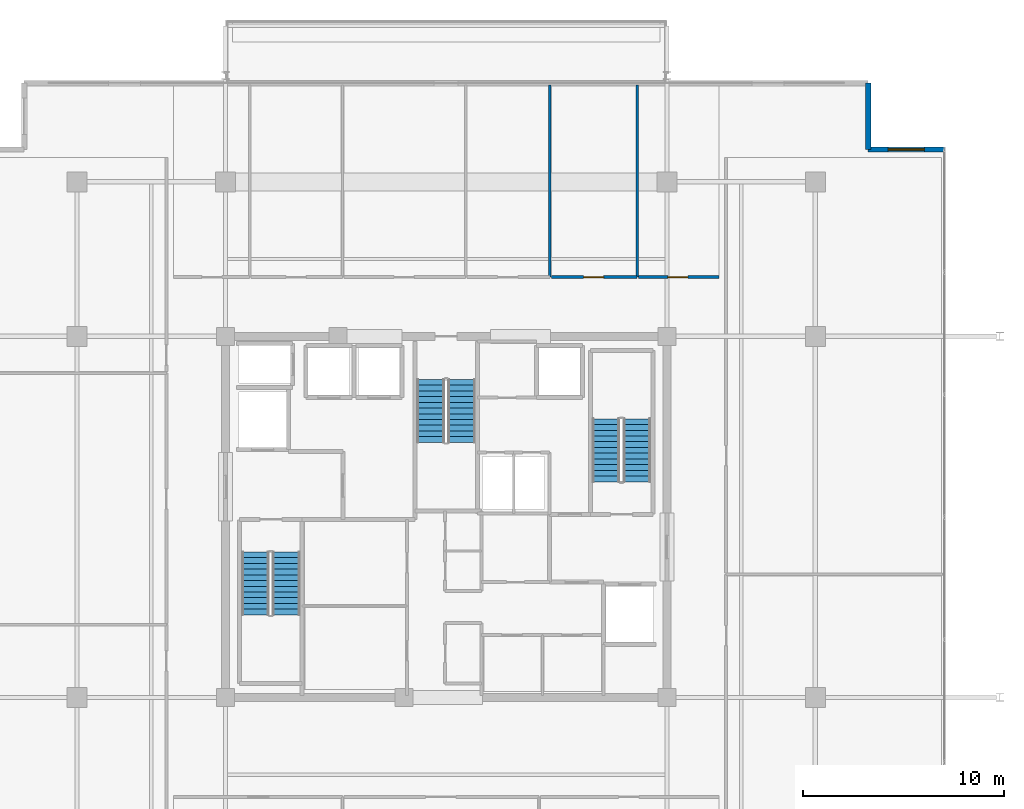
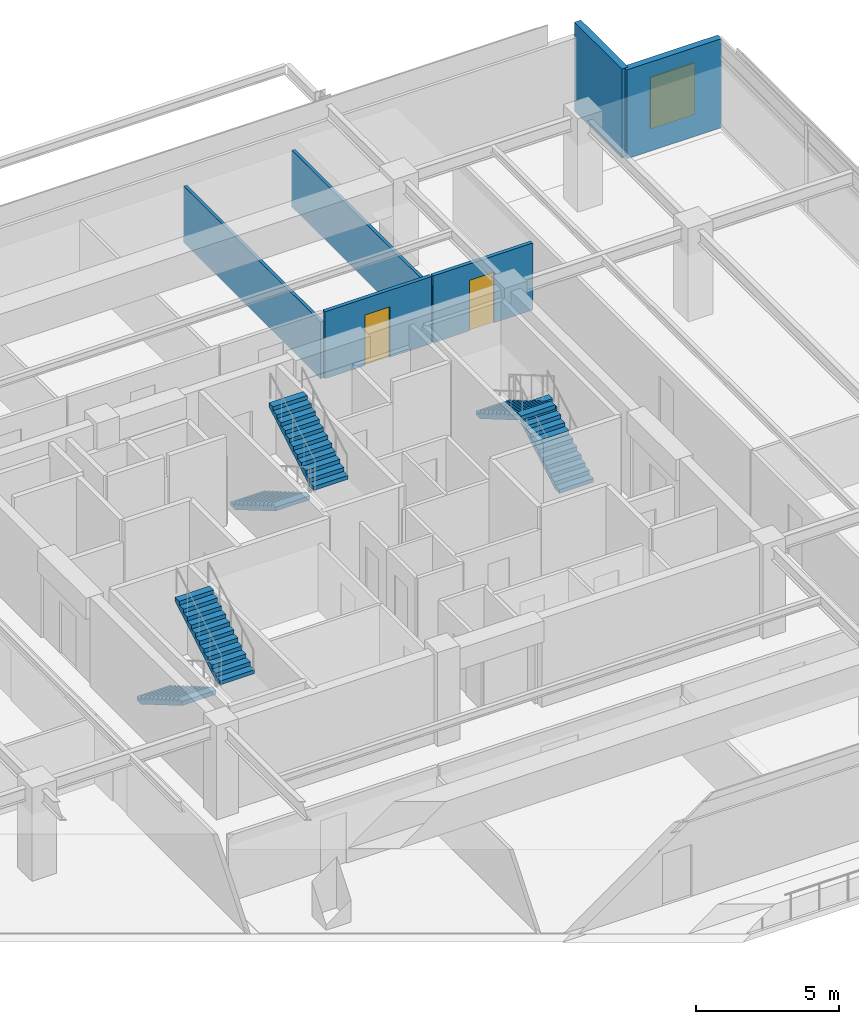
# One storey, part 17 of 21: 6 stair flights, 6 walls, 2 doors, 1 window, 3 openings, 3 elements without a shape of their own.
"""IFC4 building model written with IfcOpenShell, lengths in metres."""

from ifc_helpers import new_model, si_unit, direction, frame, frame_2d, origin, place, context, subcontext, project, spatial, polyline, rectangle, outline, extrude, material, layer, layer_set, type_object, element, fill, aggregate, save


model = new_model("IFC4")

# Units and contexts
model_context = context("Model", 3, precision=1e-05, world=origin(), true_north=direction((0.0, 1.0)))
body_context = subcontext(model_context, "Body", "Model", "MODEL_VIEW")
ifc_project = project(units=[si_unit("LENGTHUNIT", "METRE"), si_unit("AREAUNIT", "SQUARE_METRE"), si_unit("VOLUMEUNIT", "CUBIC_METRE"), si_unit("PLANEANGLEUNIT", "RADIAN"), si_unit("MASSUNIT", "GRAM", prefix="KILO")], contexts=[model_context])

# Site, building, storey
site_placement = place(None, origin())
site = spatial("IfcSite", under=ifc_project, at=site_placement, CompositionType="ELEMENT")
building_placement = place(site_placement, origin())
building = spatial("IfcBuilding", under=site, at=building_placement, Name="Kovane Verandah Tower", CompositionType="ELEMENT")
storey_placement = place(building_placement, frame((0.0, 0.0, 326.800048828125)))
storey = spatial("IfcBuildingStorey", under=building, at=storey_placement, Name="L76", CompositionType="ELEMENT", Elevation=326.800048828125)

# Wall, opening, door
ifc_material_1 = material(Name="Fire-Rated Gypsum Stud Partition", Category="gypsum")
ifc_layer_1 = layer(ifc_material_1, 0.14990234375)
ifc_layer_set_1 = layer_set([ifc_layer_1], Name="Fire-Rated Gypsum Stud Partition")
wall_type_1 = type_object("IfcWallType", Name="WL-COR-150", PredefinedType="PARTITIONING", material=ifc_layer_set_1)
wall_1_placement = place(storey_placement, frame((45.238037109375, 39.449951171875, 0.0), z_axis=(0.0, 0.0, 1.0), x_axis=(1.0, 0.0, 0.0)))
wall_1 = element("IfcWall", 1, at=wall_1_placement, inside=storey, type_object=wall_type_1, Name="L76 Document and Print Room N5 Corridor Partition", PredefinedType="PARTITIONING", context=body_context, shape_type="SweptSolid", body=[
    extrude(rectangle(XDim=4.281982421875, YDim=0.14990234375, at=frame_2d((2.14111328125, 0.0))), origin(), (0.0, 0.0, 1.0), 2.849853515625),
])
opening_1_placement = place(wall_1_placement, frame((1.60595703125, 0.0, 0.0)))
opening_1 = element("IfcOpeningElement", 2, at=opening_1_placement, cuts=wall_1, Name="Opening DR-L76-025", PredefinedType="OPENING", context=body_context, shape_type="SweptSolid", body=[
    extrude(rectangle(XDim=1.0, YDim=2.14990234375, at=frame_2d((0.5, 1.074951171875))), frame((0.0, 0.074951171875, 0.0), z_axis=(0.0, -1.0, 0.0), x_axis=(1.0, 0.0, 0.0)), (0.0, 0.0, 1.0), 0.14990234375),
])
ifc_material_2 = material(Name="FSC Spotted-Gum Timber Fire-Rated Office Door", Category="wood")
door_type = type_object("IfcDoorType", Name="DR-OFF-1000", OperationType="SINGLE_SWING_LEFT", PredefinedType="DOOR", material=ifc_material_2)
door_1_placement = place(opening_1_placement, origin())
door_1 = element("IfcDoor", 3, at=door_1_placement, inside=storey, type_object=door_type, Name="L76 Document and Print Room N5 Entrance Door", OperationType="SINGLE_SWING_LEFT", OverallHeight=2.14990234375, OverallWidth=1.0, PredefinedType="DOOR", context=body_context, shape_type="SweptSolid", body=[
    extrude(rectangle(XDim=1.0, YDim=2.14990234375, at=frame_2d((0.5, 1.074951171875))), frame((0.0, 0.02490234375, 0.0), z_axis=(0.0, -1.0, 0.0), x_axis=(1.0, 0.0, 0.0)), (0.0, 0.0, 1.0), 0.050048828125),
])
fill(opening_1, door_1)

wall_2_placement = place(storey_placement, frame((49.590087890625, 39.449951171875, 0.0), z_axis=(0.0, 0.0, 1.0), x_axis=(1.0, 0.0, 0.0)))
wall_2 = element("IfcWall", 4, at=wall_2_placement, inside=storey, type_object=wall_type_1, Name="L76 Open Plan Office N6 Corridor Partition", PredefinedType="PARTITIONING", context=body_context, shape_type="SweptSolid", body=[
    extrude(rectangle(XDim=4.010009765625, YDim=0.14990234375, at=frame_2d((2.0048828125, 0.0))), origin(), (0.0, 0.0, 1.0), 2.849853515625),
])
opening_2_placement = place(wall_2_placement, frame((1.455078125, 0.0, 0.0)))
opening_2 = element("IfcOpeningElement", 5, at=opening_2_placement, cuts=wall_2, Name="Opening DR-L76-026", PredefinedType="OPENING", context=body_context, shape_type="SweptSolid", body=[
    extrude(rectangle(XDim=1.0, YDim=2.14990234375, at=frame_2d((0.5, 1.074951171875))), frame((0.0, 0.074951171875, 0.0), z_axis=(0.0, -1.0, 0.0), x_axis=(1.0, 0.0, 0.0)), (0.0, 0.0, 1.0), 0.14990234375),
])
door_2_placement = place(opening_2_placement, origin())
door_2 = element("IfcDoor", 6, at=door_2_placement, inside=storey, type_object=door_type, Name="L76 Open Plan Office N6 Entrance Door", OperationType="SINGLE_SWING_RIGHT", OverallHeight=2.14990234375, OverallWidth=1.0, PredefinedType="DOOR", context=body_context, shape_type="SweptSolid", body=[
    extrude(rectangle(XDim=1.0, YDim=2.14990234375, at=frame_2d((0.5, 1.074951171875))), frame((0.0, 0.02490234375, 0.0), z_axis=(0.0, -1.0, 0.0), x_axis=(1.0, 0.0, 0.0)), (0.0, 0.0, 1.0), 0.050048828125),
])
fill(opening_2, door_2)

# Walls
ifc_material_3 = material(Name="Acoustic Fire-Rated Gypsum Partition", Category="gypsum")
ifc_layer_2 = layer(ifc_material_3, 0.1201171875)
ifc_layer_set_2 = layer_set([ifc_layer_2], Name="Acoustic Fire-Rated Gypsum Partition")
wall_type_2 = type_object("IfcWallType", Name="WL-PART-120", PredefinedType="PARTITIONING", material=ifc_layer_set_2)
for number, where, z_axis, x_axis, name in (
    (7, (45.16796875, 39.449951171875, 0.0), (0.0, 0.0, 1.0), (0.0, 1.0, 0.0), "L76 Collaboration Hub N4 Dividing Partition"),
    (8, (49.52001953125, 39.449951171875, 0.0), (0.0, 0.0, 1.0), (0.0, 1.0, 0.0), "L76 Document and Print Room N5 Dividing Partition"),
):
    element("IfcWall", number, at=place(storey_placement, frame(where, z_axis=z_axis, x_axis=x_axis)), inside=storey, type_object=wall_type_2, Name=name, PredefinedType="PARTITIONING", context=body_context, shape_type="SweptSolid", body=[
        extrude(rectangle(XDim=9.565673828125, YDim=0.1201171875, at=frame_2d((4.78271484375, 0.0))), origin(), (0.0, 0.0, 1.0), 2.4150390625),
    ])

# Wall, opening, window
ifc_material_4 = material(Name="Concrete C45/55 Insulated Spandrel Wall", Category="concrete")
ifc_layer_3 = layer(ifc_material_4, 0.260009765625)
ifc_layer_set_3 = layer_set([ifc_layer_3], Name="Concrete C45/55 Insulated Spandrel Wall")
wall_type_3 = type_object("IfcWallType", Name="WL-SPANDREL-260", PredefinedType="PARAPET", material=ifc_layer_set_3)
wall_3_placement = place(storey_placement, frame((64.83154296875, 45.815673828125, 0.0), z_axis=(0.0, 0.0, 1.0), x_axis=(-1.0, 0.0, 0.0)))
wall_3 = element("IfcWall", 9, at=wall_3_placement, inside=storey, type_object=wall_type_3, Name="L76 NE Notch Cheek Wall 1", PredefinedType="PARAPET", context=body_context, shape_type="SweptSolid", body=[
    extrude(rectangle(XDim=3.800048828125, YDim=0.260009765625, at=frame_2d((1.89990234375, 0.0))), origin(), (0.0, 0.0, 1.0), 3.784912109375),
])
opening_3_placement = place(wall_3_placement, frame((1.0, 0.0, 0.85009765625)))
opening_3 = element("IfcOpeningElement", 10, at=opening_3_placement, cuts=wall_3, Name="Opening W-03", PredefinedType="OPENING", context=body_context, shape_type="SweptSolid", body=[
    extrude(rectangle(XDim=1.800048828125, YDim=2.199951171875, at=frame_2d((0.89990234375, 1.10009765625))), frame((0.0, 0.1298828125, 0.0), z_axis=(0.0, -1.0, 0.0), x_axis=(1.0, 0.0, 0.0)), (0.0, 0.0, 1.0), 0.260009765625),
])
ifc_material_5 = material(Name="Clear Low-E Laminated Double Glazing in Anodised Frame", Category="glass")
window_type = type_object("IfcWindowType", Name="WN-NOTCH-1800x2200", PartitioningType="SINGLE_PANEL", PredefinedType="WINDOW", material=ifc_material_5)
window_placement = place(opening_3_placement, origin())
window = element("IfcWindow", 11, at=window_placement, inside=storey, type_object=window_type, Name="L76 NE Re-Entrant Corner Operable Window", OverallHeight=2.199951171875, OverallWidth=1.800048828125, PartitioningType="SINGLE_PANEL", PredefinedType="WINDOW", context=body_context, shape_type="SweptSolid", body=[
    extrude(rectangle(XDim=1.800048828125, YDim=2.199951171875, at=frame_2d((0.89990234375, 1.10009765625))), frame((0.0, 0.030029296875, 0.0), z_axis=(0.0, -1.0, 0.0), x_axis=(1.0, 0.0, 0.0)), (0.0, 0.0, 1.0), 0.06005859375),
])
fill(opening_3, window)

# Wall
wall_4_placement = place(storey_placement, frame((61.031494140625, 45.815673828125, 0.0), z_axis=(0.0, 0.0, 1.0), x_axis=(0.0, 1.0, 0.0)))
element("IfcWall", 12, at=wall_4_placement, inside=storey, type_object=wall_type_3, Name="L76 NE Notch Cheek Wall 2", PredefinedType="PARAPET", context=body_context, shape_type="SweptSolid", body=[
    extrude(rectangle(XDim=3.300048828125, YDim=0.260009765625, at=frame_2d((1.64990234375, 0.0))), origin(), (0.0, 0.0, 1.0), 3.784912109375),
])

# Stair, stair flights
ifc_material_6 = material(Name="Concrete C45/55", Category="concrete")
stair_type = type_object("IfcStairType", Name="ST-CORE-1380", PredefinedType="HALF_TURN_STAIR", material=ifc_material_6)
stair_1_placement = place(storey_placement, origin())
stair_1 = element("IfcStair", 13, at=stair_1_placement, inside=storey, type_object=stair_type, Name="L76 Exit Stair ST-01", PredefinedType="HALF_TURN_STAIR")
stair_flight_type = type_object("IfcStairFlightType", Name="STF-CORE-1380", PredefinedType="STRAIGHT", material=ifc_material_6)
stair_flight_1_placement = place(storey_placement, frame((30.489990234375, 25.75, 0.0), z_axis=(0.0, 0.0, 1.0), x_axis=(0.0, -1.0, 0.0)))
stair_flight_1 = element("IfcStairFlight", 14, at=stair_flight_1_placement, type_object=stair_flight_type, Name="ST-01 flight 1", NumberOfRisers=12, NumberOfTreads=11, PredefinedType="STRAIGHT", RiserHeight=0.166666667, TreadLength=0.285, context=body_context, shape_type="SweptSolid", body=[
    extrude(outline(polyline([(0.0, 0.0), (0.0, 0.166748046875), (0.284912109375, 0.166748046875), (0.284912109375, 0.333251953125), (0.570068359375, 0.333251953125), (0.570068359375, 0.5), (0.85498046875, 0.5), (0.85498046875, 0.666748046875), (1.139892578125, 0.666748046875), (1.139892578125, 0.833251953125), (1.425048828125, 0.833251953125), (1.425048828125, 1.0), (1.7099609375, 1.0), (1.7099609375, 1.166748046875), (1.9951171875, 1.166748046875), (1.9951171875, 1.333251953125), (2.280029296875, 1.333251953125), (2.280029296875, 1.5), (2.56494140625, 1.5), (2.56494140625, 1.666748046875), (2.85009765625, 1.666748046875), (2.85009765625, 1.833251953125), (3.135009765625, 1.833251953125), (3.135009765625, 2.0), (3.135009765625, 1.65966796875), (0.296875, 0.0), (0.0, 0.0)])), frame((0.0, 0.68994140625, 0.0), z_axis=(0.0, -1.0, 0.0), x_axis=(1.0, 0.0, 0.0)), (0.0, 0.0, 1.0), 1.3798828125),
])
stair_flight_2_placement = place(storey_placement, frame((32.030029296875, 22.614990234375, 2.0), z_axis=(0.0, 0.0, 1.0), x_axis=(0.0, 1.0, 0.0)))
stair_flight_2 = element("IfcStairFlight", 15, at=stair_flight_2_placement, type_object=stair_flight_type, Name="ST-01 flight 2", NumberOfRisers=12, NumberOfTreads=11, PredefinedType="STRAIGHT", RiserHeight=0.166666667, TreadLength=0.285, context=body_context, shape_type="SweptSolid", body=[
    extrude(outline(polyline([(0.0, 0.0), (0.0, 0.166748046875), (0.284912109375, 0.166748046875), (0.284912109375, 0.333251953125), (0.570068359375, 0.333251953125), (0.570068359375, 0.5), (0.85498046875, 0.5), (0.85498046875, 0.666748046875), (1.139892578125, 0.666748046875), (1.139892578125, 0.833251953125), (1.425048828125, 0.833251953125), (1.425048828125, 1.0), (1.7099609375, 1.0), (1.7099609375, 1.166748046875), (1.9951171875, 1.166748046875), (1.9951171875, 1.333251953125), (2.280029296875, 1.333251953125), (2.280029296875, 1.5), (2.56494140625, 1.5), (2.56494140625, 1.666748046875), (2.85009765625, 1.666748046875), (2.85009765625, 1.833251953125), (3.135009765625, 1.833251953125), (3.135009765625, 2.0), (3.135009765625, 1.65966796875), (0.296875, 0.0), (0.0, 0.0)])), frame((0.0, 0.68994140625, 0.0), z_axis=(0.0, -1.0, 0.0), x_axis=(1.0, 0.0, 0.0)), (0.0, 0.0, 1.0), 1.3798828125),
])
aggregate(stair_1, [stair_flight_1, stair_flight_2])

stair_2_placement = place(storey_placement, origin())
stair_2 = element("IfcStair", 16, at=stair_2_placement, inside=storey, type_object=stair_type, Name="L76 Exit Stair ST-02", PredefinedType="HALF_TURN_STAIR")
stair_flight_3_placement = place(storey_placement, frame((49.510009765625, 29.25, 0.0), z_axis=(0.0, 0.0, 1.0), x_axis=(0.0, 1.0, 0.0)))
stair_flight_3 = element("IfcStairFlight", 17, at=stair_flight_3_placement, type_object=stair_flight_type, Name="ST-02 flight 1", NumberOfRisers=12, NumberOfTreads=11, PredefinedType="STRAIGHT", RiserHeight=0.166666667, TreadLength=0.285, context=body_context, shape_type="SweptSolid", body=[
    extrude(outline(polyline([(0.0, 0.0), (0.0, 0.166748046875), (0.284912109375, 0.166748046875), (0.284912109375, 0.333251953125), (0.570068359375, 0.333251953125), (0.570068359375, 0.5), (0.85498046875, 0.5), (0.85498046875, 0.666748046875), (1.139892578125, 0.666748046875), (1.139892578125, 0.833251953125), (1.425048828125, 0.833251953125), (1.425048828125, 1.0), (1.7099609375, 1.0), (1.7099609375, 1.166748046875), (1.9951171875, 1.166748046875), (1.9951171875, 1.333251953125), (2.280029296875, 1.333251953125), (2.280029296875, 1.5), (2.56494140625, 1.5), (2.56494140625, 1.666748046875), (2.85009765625, 1.666748046875), (2.85009765625, 1.833251953125), (3.135009765625, 1.833251953125), (3.135009765625, 2.0), (3.135009765625, 1.65966796875), (0.296875, 0.0), (0.0, 0.0)])), frame((0.0, 0.68994140625, 0.0), z_axis=(0.0, -1.0, 0.0), x_axis=(1.0, 0.0, 0.0)), (0.0, 0.0, 1.0), 1.3798828125),
])
stair_flight_4_placement = place(storey_placement, frame((47.969970703125, 32.385009765625, 2.0), z_axis=(0.0, 0.0, 1.0), x_axis=(0.0, -1.0, 0.0)))
stair_flight_4 = element("IfcStairFlight", 18, at=stair_flight_4_placement, type_object=stair_flight_type, Name="ST-02 flight 2", NumberOfRisers=12, NumberOfTreads=11, PredefinedType="STRAIGHT", RiserHeight=0.166666667, TreadLength=0.285, context=body_context, shape_type="SweptSolid", body=[
    extrude(outline(polyline([(0.0, 0.0), (0.0, 0.166748046875), (0.284912109375, 0.166748046875), (0.284912109375, 0.333251953125), (0.570068359375, 0.333251953125), (0.570068359375, 0.5), (0.85498046875, 0.5), (0.85498046875, 0.666748046875), (1.139892578125, 0.666748046875), (1.139892578125, 0.833251953125), (1.425048828125, 0.833251953125), (1.425048828125, 1.0), (1.7099609375, 1.0), (1.7099609375, 1.166748046875), (1.9951171875, 1.166748046875), (1.9951171875, 1.333251953125), (2.280029296875, 1.333251953125), (2.280029296875, 1.5), (2.56494140625, 1.5), (2.56494140625, 1.666748046875), (2.85009765625, 1.666748046875), (2.85009765625, 1.833251953125), (3.135009765625, 1.833251953125), (3.135009765625, 2.0), (3.135009765625, 1.65966796875), (0.296875, 0.0), (0.0, 0.0)])), frame((0.0, 0.68994140625, 0.0), z_axis=(0.0, -1.0, 0.0), x_axis=(1.0, 0.0, 0.0)), (0.0, 0.0, 1.0), 1.3798828125),
])
aggregate(stair_2, [stair_flight_3, stair_flight_4])

stair_3_placement = place(storey_placement, origin())
stair_3 = element("IfcStair", 19, at=stair_3_placement, inside=storey, type_object=stair_type, Name="L76 Exit Stair ST-03", PredefinedType="HALF_TURN_STAIR")
stair_flight_5_placement = place(storey_placement, frame((39.22998046875, 34.35009765625, 0.0), z_axis=(0.0, 0.0, 1.0), x_axis=(0.0, -1.0, 0.0)))
stair_flight_5 = element("IfcStairFlight", 20, at=stair_flight_5_placement, type_object=stair_flight_type, Name="ST-03 flight 1", NumberOfRisers=12, NumberOfTreads=11, PredefinedType="STRAIGHT", RiserHeight=0.166666667, TreadLength=0.285, context=body_context, shape_type="SweptSolid", body=[
    extrude(outline(polyline([(0.0, 0.0), (0.0, 0.166748046875), (0.284912109375, 0.166748046875), (0.284912109375, 0.333251953125), (0.570068359375, 0.333251953125), (0.570068359375, 0.5), (0.85498046875, 0.5), (0.85498046875, 0.666748046875), (1.139892578125, 0.666748046875), (1.139892578125, 0.833251953125), (1.425048828125, 0.833251953125), (1.425048828125, 1.0), (1.7099609375, 1.0), (1.7099609375, 1.166748046875), (1.9951171875, 1.166748046875), (1.9951171875, 1.333251953125), (2.280029296875, 1.333251953125), (2.280029296875, 1.5), (2.56494140625, 1.5), (2.56494140625, 1.666748046875), (2.85009765625, 1.666748046875), (2.85009765625, 1.833251953125), (3.135009765625, 1.833251953125), (3.135009765625, 2.0), (3.135009765625, 1.65966796875), (0.296875, 0.0), (0.0, 0.0)])), frame((0.0, 0.68994140625, 0.0), z_axis=(0.0, -1.0, 0.0), x_axis=(1.0, 0.0, 0.0)), (0.0, 0.0, 1.0), 1.3798828125),
])
stair_flight_6_placement = place(storey_placement, frame((40.77001953125, 31.215087890625, 2.0), z_axis=(0.0, 0.0, 1.0), x_axis=(0.0, 1.0, 0.0)))
stair_flight_6 = element("IfcStairFlight", 21, at=stair_flight_6_placement, type_object=stair_flight_type, Name="ST-03 flight 2", NumberOfRisers=12, NumberOfTreads=11, PredefinedType="STRAIGHT", RiserHeight=0.166666667, TreadLength=0.285, context=body_context, shape_type="SweptSolid", body=[
    extrude(outline(polyline([(0.0, 0.0), (0.0, 0.166748046875), (0.284912109375, 0.166748046875), (0.284912109375, 0.333251953125), (0.570068359375, 0.333251953125), (0.570068359375, 0.5), (0.85498046875, 0.5), (0.85498046875, 0.666748046875), (1.139892578125, 0.666748046875), (1.139892578125, 0.833251953125), (1.425048828125, 0.833251953125), (1.425048828125, 1.0), (1.7099609375, 1.0), (1.7099609375, 1.166748046875), (1.9951171875, 1.166748046875), (1.9951171875, 1.333251953125), (2.280029296875, 1.333251953125), (2.280029296875, 1.5), (2.56494140625, 1.5), (2.56494140625, 1.666748046875), (2.85009765625, 1.666748046875), (2.85009765625, 1.833251953125), (3.135009765625, 1.833251953125), (3.135009765625, 2.0), (3.135009765625, 1.65966796875), (0.296875, 0.0), (0.0, 0.0)])), frame((0.0, 0.68994140625, 0.0), z_axis=(0.0, -1.0, 0.0), x_axis=(1.0, 0.0, 0.0)), (0.0, 0.0, 1.0), 1.3798828125),
])
aggregate(stair_3, [stair_flight_5, stair_flight_6])

save(model, "model.ifc")
